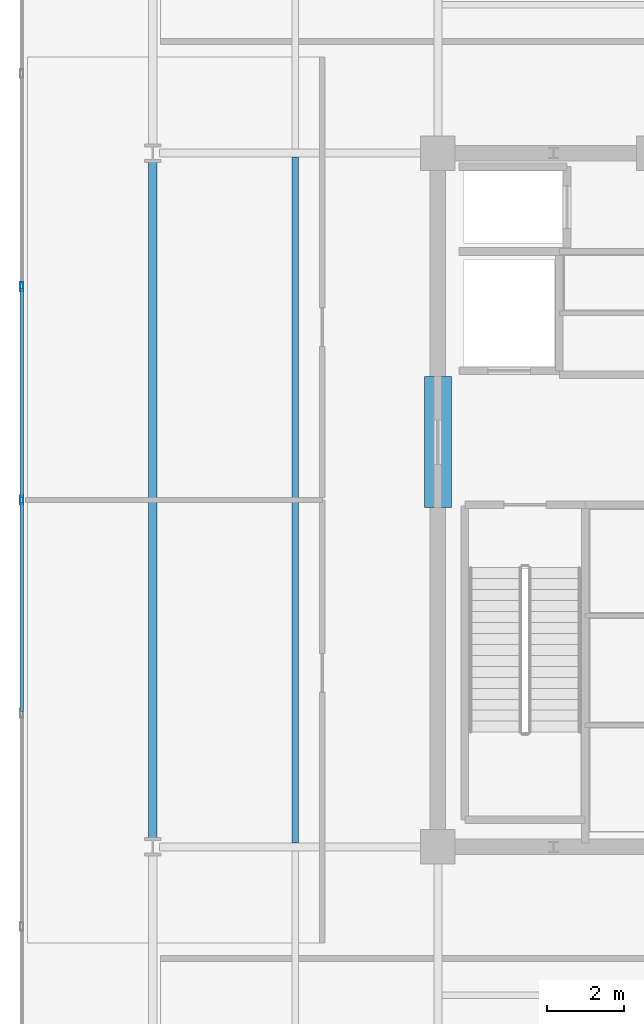
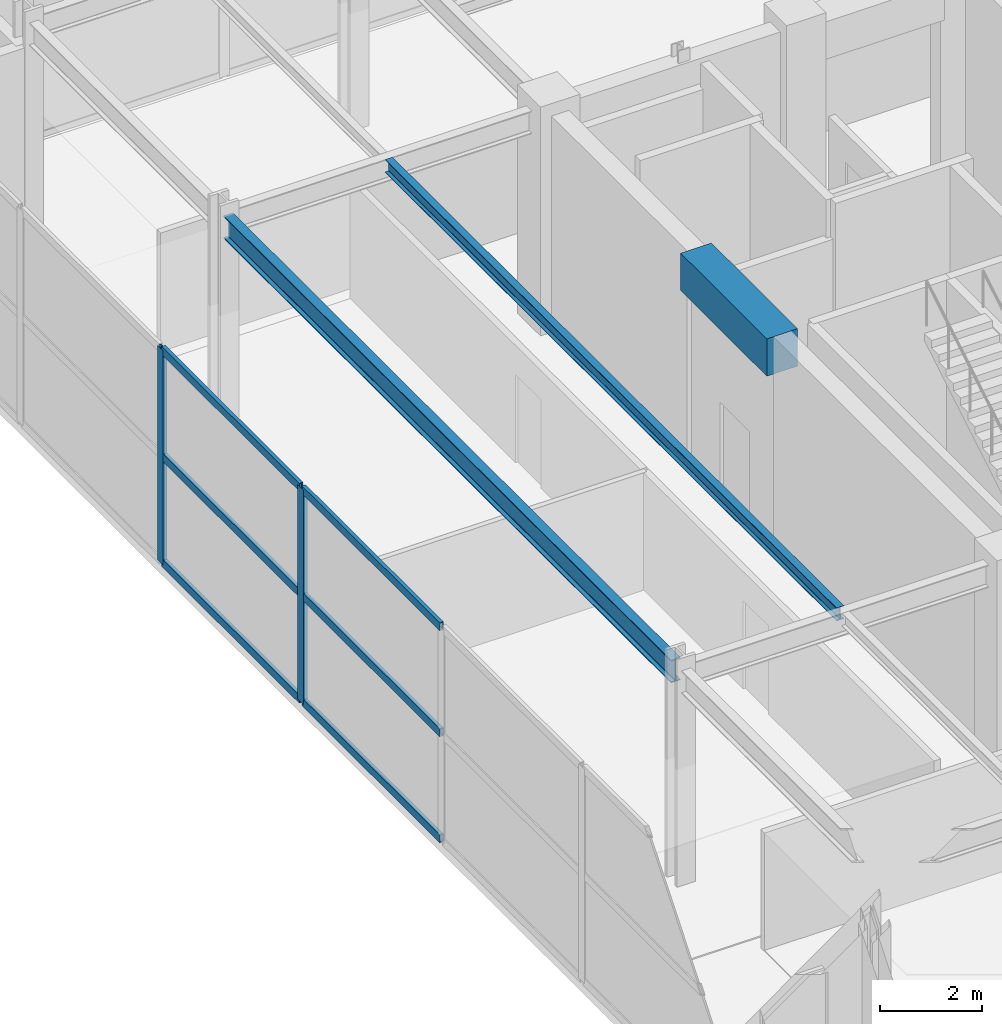
# One storey, part 7 of 24: 8 members, 3 beams, 1 element without a shape of its own.
"""IFC4 building model written with IfcOpenShell, lengths in metres."""

from ifc_helpers import new_model, si_unit, direction, frame, origin, origin_2d, place, context, subcontext, project, spatial, rectangle, hollow_rectangle, i_section, extrude, material, material_profile, profile_set, type_object, element, aggregate, save


model = new_model("IFC4")

# Units and contexts
model_context = context("Model", 3, precision=1e-05, world=origin(), true_north=direction((0.0, 1.0)))
body_context = subcontext(model_context, "Body", "Model", "MODEL_VIEW")
ifc_project = project(units=[si_unit("LENGTHUNIT", "METRE"), si_unit("AREAUNIT", "SQUARE_METRE"), si_unit("VOLUMEUNIT", "CUBIC_METRE"), si_unit("PLANEANGLEUNIT", "RADIAN"), si_unit("MASSUNIT", "GRAM", prefix="KILO")], contexts=[model_context])

# Site, building, storey
site_placement = place(None, origin())
site = spatial("IfcSite", under=ifc_project, at=site_placement, CompositionType="ELEMENT")
building_placement = place(site_placement, origin())
building = spatial("IfcBuilding", under=site, at=building_placement, Name="Kovane Verandah Tower", CompositionType="ELEMENT")
storey_placement = place(building_placement, frame((0.0, 0.0, 348.800048828125)))
storey = spatial("IfcBuildingStorey", under=building, at=storey_placement, Name="L81", CompositionType="ELEMENT", Elevation=348.800048828125)

# Beams
ifc_material_1 = material(Name="Concrete C60/75", Category="concrete")
ifc_material_profile_1 = material_profile(ifc_material_1, rectangle(XDim=0.699951171875, YDim=0.89990234375, at=origin_2d()), Name="RCB700x900")
ifc_profile_set_1 = profile_set([ifc_material_profile_1], Name="Concrete C60/75")
beam_type_1 = type_object("IfcBeamType", Name="BM-LINTEL-700x900", PredefinedType="LINTEL", material=ifc_profile_set_1)
beam_1_placement = place(storey_placement, frame((29.0, 27.300048828125, 4.75), z_axis=(0.0, 1.0, 0.0), x_axis=(-1.0, 0.0, 0.0)))
element("IfcBeam", 1, at=beam_1_placement, inside=storey, type_object=beam_type_1, Name="L81 Core Coupling Lintel CL-W", PredefinedType="LINTEL", context=body_context, shape_type="SweptSolid", body=[
    extrude(rectangle(XDim=0.699951171875, YDim=0.89990234375, at=origin_2d()), origin(), (0.0, 0.0, 1.0), 3.39990234375),
])
ifc_material_2 = material(Name="Steel S355", Category="steel")
ifc_material_profile_2 = material_profile(ifc_material_2, i_section(OverallWidth=0.2119140625, OverallDepth=0.54443359375, WebThickness=0.0126953125, FlangeThickness=0.021240234375, FilletRadius=0.0126953125, at=origin_2d()), Name="UB533x210x122")
ifc_profile_set_2 = profile_set([ifc_material_profile_2], Name="Steel S355")
beam_type_2 = type_object("IfcBeamType", Name="BM-UB533x122", PredefinedType="BEAM", material=ifc_profile_set_2)
beam_2_placement = place(storey_placement, frame((21.60009765625, 18.679931640625, 4.927734375), z_axis=(0.0, 1.0, 0.0), x_axis=(-1.0, 0.0, 0.0)))
element("IfcBeam", 2, at=beam_2_placement, inside=storey, type_object=beam_type_2, Name="L81 Primary Tower Girder G-RW2", PredefinedType="BEAM", context=body_context, shape_type="SweptSolid", body=[
    extrude(i_section(OverallWidth=0.2119140625, OverallDepth=0.54443359375, WebThickness=0.0126953125, FlangeThickness=0.021240234375, FilletRadius=0.0126953125, at=origin_2d()), origin(), (0.0, 0.0, 1.0), 17.64013671875),
])

# Curtain wall, members
ifc_material_3 = material(Name="Champagne Anodised Aluminium Frame with Low-E Clear Laminated Glass", Category="aluminium")
curtain_wall_type = type_object("IfcCurtainWallType", Name="CW-SYS-06-CROWN", PredefinedType="NOTDEFINED", material=ifc_material_3)
curtain_wall_placement = place(storey_placement, origin())
curtain_wall = element("IfcCurtainWall", 3, at=curtain_wall_placement, inside=storey, type_object=curtain_wall_type, Name="L81 W Unitised Curtain Wall", PredefinedType="NOTDEFINED")
ifc_material_4 = material(Name="Champagne Anodised Aluminium 6063-T6", Category="aluminium")
ifc_material_profile_3 = material_profile(ifc_material_4, hollow_rectangle(XDim=0.0849609375, YDim=0.22998046875, WallThickness=0.00390625, at=origin_2d()), Name="AL85x230x4")
ifc_profile_set_3 = profile_set([ifc_material_profile_3], Name="Champagne Anodised Aluminium 6063-T6")
member_type_1 = type_object("IfcMemberType", Name="CW-MUL-85x230", PredefinedType="MULLION", material=ifc_profile_set_3)
member_1_placement = place(storey_placement, frame((18.199951171875, 33.033203125, 0.02001953125), z_axis=(0.0, 0.0, 1.0), x_axis=(-1.0, 0.0, 0.0)))
member_1 = element("IfcMember", 4, at=member_1_placement, type_object=member_type_1, Name="L81 W Unitised Curtain Wall Mullion 3", PredefinedType="MULLION", context=body_context, shape_type="SweptSolid", body=[
    extrude(hollow_rectangle(XDim=0.0849609375, YDim=0.22998046875, WallThickness=0.00390625, at=origin_2d()), origin(), (0.0, 0.0, 1.0), 5.159912109375),
])
member_2_placement = place(storey_placement, frame((18.199951171875, 27.5, 0.02001953125), z_axis=(0.0, 0.0, 1.0), x_axis=(-1.0, 0.0, 0.0)))
member_2 = element("IfcMember", 5, at=member_2_placement, type_object=member_type_1, Name="L81 W Unitised Curtain Wall Mullion 4", PredefinedType="MULLION", context=body_context, shape_type="SweptSolid", body=[
    extrude(hollow_rectangle(XDim=0.0849609375, YDim=0.22998046875, WallThickness=0.00390625, at=origin_2d()), origin(), (0.0, 0.0, 1.0), 5.159912109375),
])
ifc_material_profile_4 = material_profile(ifc_material_4, hollow_rectangle(XDim=0.0849609375, YDim=0.18994140625, WallThickness=0.00390625, at=origin_2d()), Name="AL85x190x4")
ifc_profile_set_4 = profile_set([ifc_material_profile_4], Name="Champagne Anodised Aluminium 6063-T6")
member_type_2 = type_object("IfcMemberType", Name="CW-TRN-85x190", PredefinedType="USERDEFINED", material=ifc_profile_set_4)
member_3_placement = place(storey_placement, frame((18.199951171875, 32.9833984375, 0.050048828125), z_axis=(0.0, -1.0, 0.0), x_axis=(1.0, 0.0, 0.0)))
member_3 = element("IfcMember", 6, at=member_3_placement, type_object=member_type_2, Name="L81 W Unitised Curtain Wall Transom TB Bay 3", ObjectType="TRANSOM", PredefinedType="USERDEFINED", context=body_context, shape_type="SweptSolid", body=[
    extrude(hollow_rectangle(XDim=0.0849609375, YDim=0.18994140625, WallThickness=0.00390625, at=origin_2d()), origin(), (0.0, 0.0, 1.0), 5.433349609375),
])
member_4_placement = place(storey_placement, frame((18.199951171875, 32.9833984375, 2.599853515625), z_axis=(0.0, -1.0, 0.0), x_axis=(1.0, 0.0, 0.0)))
member_4 = element("IfcMember", 7, at=member_4_placement, type_object=member_type_2, Name="L81 W Unitised Curtain Wall Transom TM Bay 3", ObjectType="TRANSOM", PredefinedType="USERDEFINED", context=body_context, shape_type="SweptSolid", body=[
    extrude(hollow_rectangle(XDim=0.0849609375, YDim=0.18994140625, WallThickness=0.00390625, at=origin_2d()), origin(), (0.0, 0.0, 1.0), 5.433349609375),
])
member_5_placement = place(storey_placement, frame((18.199951171875, 32.9833984375, 5.14990234375), z_axis=(0.0, -1.0, 0.0), x_axis=(1.0, 0.0, 0.0)))
member_5 = element("IfcMember", 8, at=member_5_placement, type_object=member_type_2, Name="L81 W Unitised Curtain Wall Transom TT Bay 3", ObjectType="TRANSOM", PredefinedType="USERDEFINED", context=body_context, shape_type="SweptSolid", body=[
    extrude(hollow_rectangle(XDim=0.0849609375, YDim=0.18994140625, WallThickness=0.00390625, at=origin_2d()), origin(), (0.0, 0.0, 1.0), 5.433349609375),
])
member_6_placement = place(storey_placement, frame((18.199951171875, 27.449951171875, 0.050048828125), z_axis=(0.0, -1.0, 0.0), x_axis=(1.0, 0.0, 0.0)))
member_6 = element("IfcMember", 9, at=member_6_placement, type_object=member_type_2, Name="L81 W Unitised Curtain Wall Transom TB Bay 4", ObjectType="TRANSOM", PredefinedType="USERDEFINED", context=body_context, shape_type="SweptSolid", body=[
    extrude(hollow_rectangle(XDim=0.0849609375, YDim=0.18994140625, WallThickness=0.00390625, at=origin_2d()), origin(), (0.0, 0.0, 1.0), 5.433349609375),
])
member_7_placement = place(storey_placement, frame((18.199951171875, 27.449951171875, 2.599853515625), z_axis=(0.0, -1.0, 0.0), x_axis=(1.0, 0.0, 0.0)))
member_7 = element("IfcMember", 10, at=member_7_placement, type_object=member_type_2, Name="L81 W Unitised Curtain Wall Transom TM Bay 4", ObjectType="TRANSOM", PredefinedType="USERDEFINED", context=body_context, shape_type="SweptSolid", body=[
    extrude(hollow_rectangle(XDim=0.0849609375, YDim=0.18994140625, WallThickness=0.00390625, at=origin_2d()), origin(), (0.0, 0.0, 1.0), 5.433349609375),
])
member_8_placement = place(storey_placement, frame((18.199951171875, 27.449951171875, 5.14990234375), z_axis=(0.0, -1.0, 0.0), x_axis=(1.0, 0.0, 0.0)))
member_8 = element("IfcMember", 11, at=member_8_placement, type_object=member_type_2, Name="L81 W Unitised Curtain Wall Transom TT Bay 4", ObjectType="TRANSOM", PredefinedType="USERDEFINED", context=body_context, shape_type="SweptSolid", body=[
    extrude(hollow_rectangle(XDim=0.0849609375, YDim=0.18994140625, WallThickness=0.00390625, at=origin_2d()), origin(), (0.0, 0.0, 1.0), 5.433349609375),
])
aggregate(curtain_wall, [member_1, member_2, member_3, member_4, member_5, member_6, member_7, member_8])

# Beam
ifc_material_profile_5 = material_profile(ifc_material_2, i_section(OverallWidth=0.1669921875, OverallDepth=0.310302734375, WebThickness=0.0078125, FlangeThickness=0.013671875, FilletRadius=0.0087890625, at=origin_2d()), Name="UB305x165x54")
ifc_profile_set_5 = profile_set([ifc_material_profile_5], Name="Steel S355")
beam_type_3 = type_object("IfcBeamType", Name="JST-UB305x54", PredefinedType="JOIST", material=ifc_profile_set_5)
beam_3_placement = place(storey_placement, frame((25.300048828125, 18.60400390625, 5.044677734375), z_axis=(0.0, 1.0, 0.0), x_axis=(-1.0, 0.0, 0.0)))
element("IfcBeam", 12, at=beam_3_placement, inside=storey, type_object=beam_type_3, Name="L81 Secondary Composite Joist J-W1", PredefinedType="JOIST", context=body_context, shape_type="SweptSolid", body=[
    extrude(i_section(OverallWidth=0.1669921875, OverallDepth=0.310302734375, WebThickness=0.0078125, FlangeThickness=0.013671875, FilletRadius=0.0087890625, at=origin_2d()), origin(), (0.0, 0.0, 1.0), 17.7919921875),
])

save(model, "model.ifc")
